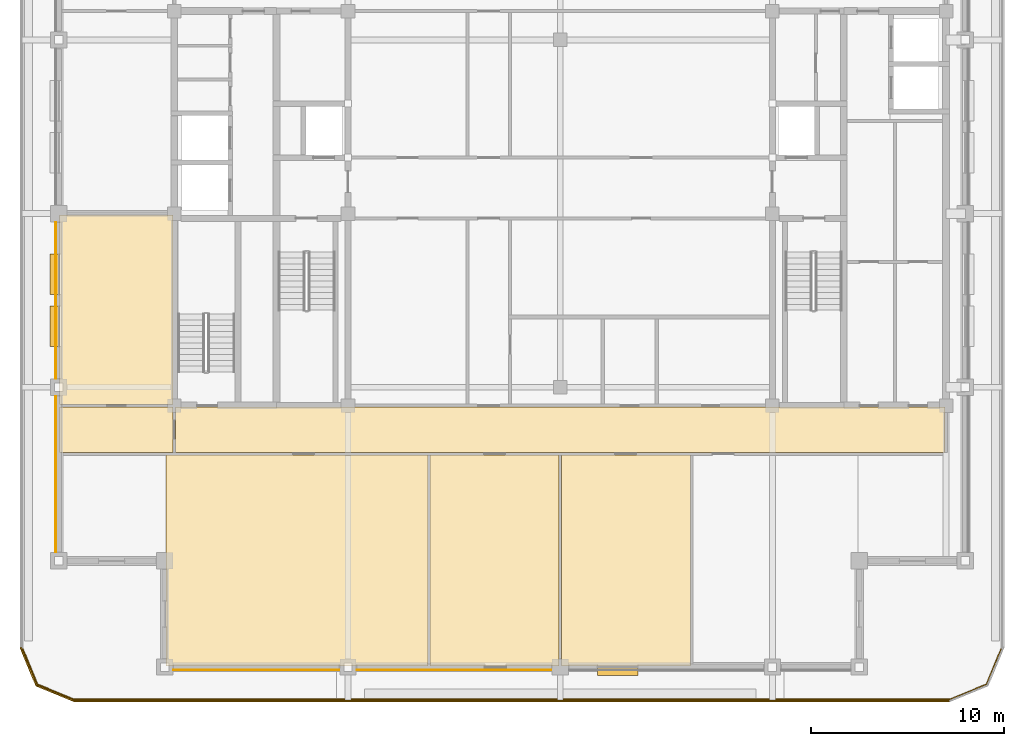
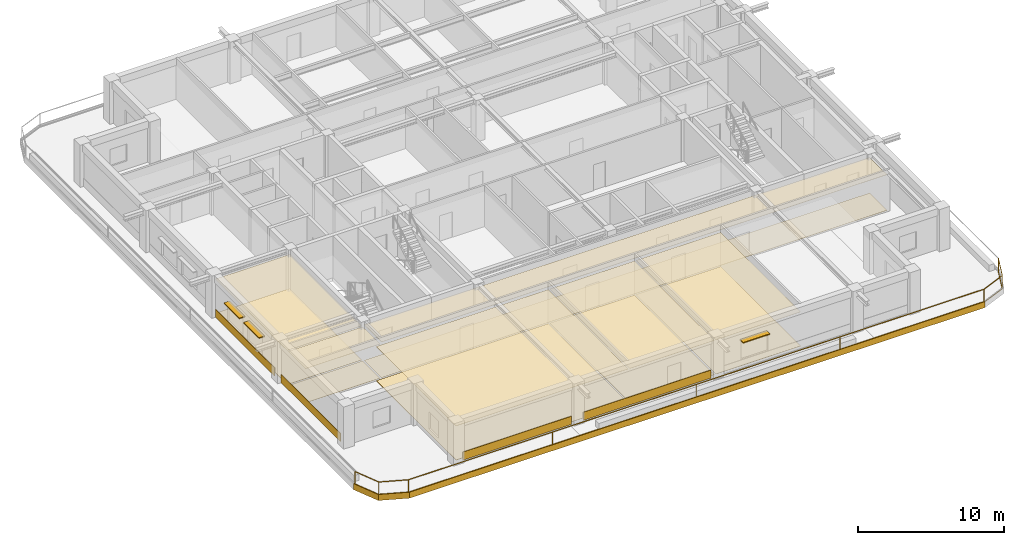
# One storey, part 7 of 11: 19 coverings, 3 shading devices, 1 railing.
"""IFC4 building model written with IfcOpenShell, lengths in metres."""

from ifc_helpers import new_model, si_unit, direction, frame, frame_2d, origin, origin_2d, place, context, subcontext, project, spatial, polyline, rectangle, outline, extrude, material, layer, layer_set, type_object, element, save


model = new_model("IFC4")

# Units and contexts
model_context = context("Model", 3, precision=1e-05, world=origin(), true_north=direction((0.0, 1.0)))
body_context = subcontext(model_context, "Body", "Model", "MODEL_VIEW")
ifc_project = project(units=[si_unit("LENGTHUNIT", "METRE"), si_unit("AREAUNIT", "SQUARE_METRE"), si_unit("VOLUMEUNIT", "CUBIC_METRE"), si_unit("PLANEANGLEUNIT", "RADIAN"), si_unit("MASSUNIT", "GRAM", prefix="KILO")], contexts=[model_context])

# Site, building, storey
site_placement = place(None, origin())
site = spatial("IfcSite", under=ifc_project, at=site_placement, CompositionType="ELEMENT")
building_placement = place(site_placement, origin())
building = spatial("IfcBuilding", under=site, at=building_placement, Name="Zulmaris Gate Convention Tower", CompositionType="ELEMENT")
storey_placement = place(building_placement, frame((0.0, 0.0, 270.580078125)))
storey = spatial("IfcBuildingStorey", under=building, at=storey_placement, Name="L72", CompositionType="ELEMENT", Elevation=270.580078125)

# Coverings
ifc_material_1 = material(Name="Precast concrete C40/50", Category="concrete")
ifc_layer_1 = layer(ifc_material_1, 0.0400390625, Name="Precast concrete C40/50")
ifc_layer_set_1 = layer_set([ifc_layer_1], Name="Precast concrete C40/50")
covering_type_1 = type_object("IfcCoveringType", Name="CLAD-SPANDREL-PRECAST", PredefinedType="CLADDING", material=ifc_layer_set_1)
covering_1_placement = place(storey_placement, frame((-20.044921875, -23.64990234375, 0.0), z_axis=(0.0, 0.0, 1.0), x_axis=(1.0, 0.0, 0.0)))
element("IfcCovering", 1, at=covering_1_placement, inside=storey, type_object=covering_type_1, Name="CLD-L72-S-0_0", PredefinedType="CLADDING", context=body_context, shape_type="SweptSolid", body=[
    extrude(rectangle(XDim=8.58984375, YDim=0.0400390625, at=frame_2d((4.294921875, 0.0))), origin(), (0.0, 0.0, 1.0), 0.679931640625),
])
covering_2_placement = place(storey_placement, frame((-10.544921875, -23.64990234375, 0.0), z_axis=(0.0, 0.0, 1.0), x_axis=(1.0, 0.0, 0.0)))
element("IfcCovering", 2, at=covering_2_placement, inside=storey, type_object=covering_type_1, Name="CLD-L72-S-1_0", PredefinedType="CLADDING", context=body_context, shape_type="SweptSolid", body=[
    extrude(rectangle(XDim=10.08984375, YDim=0.0400390625, at=frame_2d((5.044921875, 0.0))), origin(), (0.0, 0.0, 1.0), 0.679931640625),
])
for number, where, z_axis, x_axis, name in (
    (3, (-26.14990234375, -9.455078125, 0.0), (0.0, 0.0, 1.0), (0.0, -1.0, 0.0), "CLD-L72-W-0_0"),
    (4, (-26.14990234375, -0.455078125, 0.0), (0.0, 0.0, 1.0), (0.0, -1.0, 0.0), "CLD-L72-W-1_0"),
):
    element("IfcCovering", number, at=place(storey_placement, frame(where, z_axis=z_axis, x_axis=x_axis)), inside=storey, type_object=covering_type_1, Name=name, PredefinedType="CLADDING", context=body_context, shape_type="SweptSolid", body=[
        extrude(rectangle(XDim=8.08984375, YDim=0.0400390625, at=frame_2d((4.044921875, 0.0))), origin(), (0.0, 0.0, 1.0), 0.679931640625),
    ])
ifc_material_2 = material(Name="White Glazed Architectural Precast Concrete C40/50", Category="concrete")
ifc_layer_2 = layer(ifc_material_2, 0.080078125, Name="White Glazed Architectural Precast Concrete C40/50")
ifc_layer_set_2 = layer_set([ifc_layer_2], Name="White Glazed Architectural Precast Concrete C40/50")
covering_type_2 = type_object("IfcCoveringType", Name="CLAD-TRAY-FASCIA", PredefinedType="CLADDING", material=ifc_layer_set_2)
covering_3_placement = place(storey_placement, frame((-27.962890625, -22.484619140625, -0.364990234375), z_axis=(0.0, 0.0, 1.0), x_axis=(0.382656984709, -0.923890487046, 0.0)))
element("IfcCovering", 5, at=covering_3_placement, inside=storey, type_object=covering_type_2, Name="FSC-L72-TR-00", PredefinedType="CLADDING", context=body_context, shape_type="SweptSolid", body=[
    extrude(rectangle(XDim=2.14306640625, YDim=0.080078125, at=frame_2d((1.071533203125, 0.0))), origin(), (0.0, 0.0, 1.0), 0.5),
])
covering_4_placement = place(storey_placement, frame((-27.16455078125, -24.44287109375, -0.364990234375), z_axis=(0.0, 0.0, 1.0), x_axis=(0.923873803533, -0.382697263049, 0.0)))
element("IfcCovering", 6, at=covering_4_placement, inside=storey, type_object=covering_type_2, Name="FSC-L72-TR-01", PredefinedType="CLADDING", context=body_context, shape_type="SweptSolid", body=[
    extrude(rectangle(XDim=2.142822265625, YDim=0.080078125, at=frame_2d((1.0712890625, 0.0))), origin(), (0.0, 0.0, 1.0), 0.5),
])
covering_5_placement = place(storey_placement, frame((-25.199951171875, -25.260009765625, -0.364990234375), z_axis=(0.0, 0.0, 1.0), x_axis=(1.0, 0.0, 0.0)))
element("IfcCovering", 7, at=covering_5_placement, inside=storey, type_object=covering_type_2, Name="FSC-L72-TR-02", PredefinedType="CLADDING", context=body_context, shape_type="SweptSolid", body=[
    extrude(rectangle(XDim=45.39990234375, YDim=0.080078125, at=frame_2d((22.699951171875, 0.0))), origin(), (0.0, 0.0, 1.0), 0.5),
])
ifc_material_3 = material(Name="Mineral Fibre Acoustic Ceiling Tile")
ifc_layer_3 = layer(ifc_material_3, 0.02001953125, Name="Mineral Fibre Acoustic Ceiling Tile")
ifc_layer_set_3 = layer_set([ifc_layer_3], Name="Mineral Fibre Acoustic Ceiling Tile")
covering_type_3 = type_object("IfcCoveringType", Name="CLG-ACOUSTIC-600", PredefinedType="CEILING", material=ifc_layer_set_3)
covering_6_placement = place(storey_placement, frame((0.0, 0.0, 2.972900390625)))
element("IfcCovering", 8, at=covering_6_placement, inside=storey, type_object=covering_type_3, Name="CLG-L72-R32", PredefinedType="CEILING", context=body_context, shape_type="SweptSolid", body=[
    extrude(outline(polyline([(-19.93994140625, -12.389892578125), (19.93994140625, -12.389892578125), (19.93994140625, -10.010009765625), (-19.93994140625, -10.010009765625), (-19.93994140625, -12.389892578125)])), origin(), (0.0, 0.0, 1.0), 0.02001953125),
])
covering_7_placement = place(storey_placement, frame((0.0, 0.0, 2.85009765625)))
element("IfcCovering", 9, at=covering_7_placement, inside=storey, type_object=covering_type_3, Name="CLG-L72-R41", PredefinedType="CEILING", context=body_context, shape_type="SweptSolid", body=[
    extrude(outline(polyline([(-20.43994140625, -23.43994140625), (-6.860107421875, -23.43994140625), (-6.860107421875, -12.510009765625), (-20.43994140625, -12.510009765625), (-20.43994140625, -23.43994140625)])), origin(), (0.0, 0.0, 1.0), 0.02001953125),
])
covering_8_placement = place(storey_placement, frame((0.0, 0.0, 2.85009765625)))
element("IfcCovering", 10, at=covering_8_placement, inside=storey, type_object=covering_type_3, Name="CLG-L72-R42", PredefinedType="CEILING", context=body_context, shape_type="SweptSolid", body=[
    extrude(outline(polyline([(-6.739990234375, -23.43994140625), (-0.06005859375, -23.43994140625), (-0.06005859375, -12.510009765625), (-6.739990234375, -12.510009765625), (-6.739990234375, -23.43994140625)])), origin(), (0.0, 0.0, 1.0), 0.02001953125),
])
covering_9_placement = place(storey_placement, frame((0.0, 0.0, 2.85009765625)))
element("IfcCovering", 11, at=covering_9_placement, inside=storey, type_object=covering_type_3, Name="CLG-L72-R43", PredefinedType="CEILING", context=body_context, shape_type="SweptSolid", body=[
    extrude(outline(polyline([(0.06005859375, -23.43994140625), (6.739990234375, -23.43994140625), (6.739990234375, -12.510009765625), (0.06005859375, -12.510009765625), (0.06005859375, -23.43994140625)])), origin(), (0.0, 0.0, 1.0), 0.02001953125),
])
covering_10_placement = place(storey_placement, frame((0.0, 0.0, 2.85009765625)))
element("IfcCovering", 12, at=covering_10_placement, inside=storey, type_object=covering_type_3, Name="CLG-L72-R53", PredefinedType="CEILING", context=body_context, shape_type="SweptSolid", body=[
    extrude(outline(polyline([(-25.93994140625, -12.389892578125), (-20.06005859375, -12.389892578125), (-20.06005859375, -10.010009765625), (-25.93994140625, -10.010009765625), (-25.93994140625, -12.389892578125)])), origin(), (0.0, 0.0, 1.0), 0.02001953125),
])
covering_11_placement = place(storey_placement, frame((0.0, 0.0, 2.85009765625)))
element("IfcCovering", 13, at=covering_11_placement, inside=storey, type_object=covering_type_3, Name="CLG-L72-R55", PredefinedType="CEILING", context=body_context, shape_type="SweptSolid", body=[
    extrude(outline(polyline([(-25.93994140625, -9.889892578125), (-20.06005859375, -9.889892578125), (-20.06005859375, -0.06005859375), (-25.93994140625, -0.06005859375), (-25.93994140625, -9.889892578125)])), origin(), (0.0, 0.0, 1.0), 0.02001953125),
])
ifc_material_4 = material(Name="Woven Acoustic Wool Carpet Tile")
ifc_layer_4 = layer(ifc_material_4, 0.02001953125, Name="Woven Acoustic Wool Carpet Tile")
ifc_layer_set_4 = layer_set([ifc_layer_4], Name="Woven Acoustic Wool Carpet Tile")
covering_type_4 = type_object("IfcCoveringType", Name="FLR-CARPET-12", PredefinedType="FLOORING", material=ifc_layer_set_4)
covering_12_placement = place(storey_placement, origin())
element("IfcCovering", 14, at=covering_12_placement, inside=storey, type_object=covering_type_4, Name="FLR-L72-R32", PredefinedType="FLOORING", context=body_context, shape_type="SweptSolid", body=[
    extrude(outline(polyline([(-19.93994140625, -12.389892578125), (19.93994140625, -12.389892578125), (19.93994140625, -10.010009765625), (-19.93994140625, -10.010009765625), (-19.93994140625, -12.389892578125)])), origin(), (0.0, 0.0, 1.0), 0.02001953125),
])
covering_13_placement = place(storey_placement, origin())
element("IfcCovering", 15, at=covering_13_placement, inside=storey, type_object=covering_type_4, Name="FLR-L72-R41", PredefinedType="FLOORING", context=body_context, shape_type="SweptSolid", body=[
    extrude(outline(polyline([(-20.43994140625, -23.43994140625), (-6.860107421875, -23.43994140625), (-6.860107421875, -12.510009765625), (-20.43994140625, -12.510009765625), (-20.43994140625, -23.43994140625)])), origin(), (0.0, 0.0, 1.0), 0.02001953125),
])
covering_14_placement = place(storey_placement, origin())
element("IfcCovering", 16, at=covering_14_placement, inside=storey, type_object=covering_type_4, Name="FLR-L72-R53", PredefinedType="FLOORING", context=body_context, shape_type="SweptSolid", body=[
    extrude(outline(polyline([(-25.93994140625, -12.389892578125), (-20.06005859375, -12.389892578125), (-20.06005859375, -10.010009765625), (-25.93994140625, -10.010009765625), (-25.93994140625, -12.389892578125)])), origin(), (0.0, 0.0, 1.0), 0.02001953125),
])
covering_15_placement = place(storey_placement, origin())
element("IfcCovering", 17, at=covering_15_placement, inside=storey, type_object=covering_type_4, Name="FLR-L72-R55", PredefinedType="FLOORING", context=body_context, shape_type="SweptSolid", body=[
    extrude(outline(polyline([(-25.93994140625, -9.889892578125), (-20.06005859375, -9.889892578125), (-20.06005859375, -0.06005859375), (-25.93994140625, -0.06005859375), (-25.93994140625, -9.889892578125)])), origin(), (0.0, 0.0, 1.0), 0.02001953125),
])
ifc_material_5 = material(Name="Engineered Teak Parquet Flooring")
ifc_layer_5 = layer(ifc_material_5, 0.02001953125, Name="Engineered Teak Parquet Flooring")
ifc_layer_set_5 = layer_set([ifc_layer_5], Name="Engineered Teak Parquet Flooring")
covering_type_5 = type_object("IfcCoveringType", Name="FLR-TIMBER-18", PredefinedType="FLOORING", material=ifc_layer_set_5)
covering_16_placement = place(storey_placement, origin())
element("IfcCovering", 18, at=covering_16_placement, inside=storey, type_object=covering_type_5, Name="FLR-L72-R42", PredefinedType="FLOORING", context=body_context, shape_type="SweptSolid", body=[
    extrude(outline(polyline([(-6.739990234375, -23.43994140625), (-0.06005859375, -23.43994140625), (-0.06005859375, -12.510009765625), (-6.739990234375, -12.510009765625), (-6.739990234375, -23.43994140625)])), origin(), (0.0, 0.0, 1.0), 0.02001953125),
])
covering_17_placement = place(storey_placement, origin())
element("IfcCovering", 19, at=covering_17_placement, inside=storey, type_object=covering_type_5, Name="FLR-L72-R43", PredefinedType="FLOORING", context=body_context, shape_type="SweptSolid", body=[
    extrude(outline(polyline([(0.06005859375, -23.43994140625), (6.739990234375, -23.43994140625), (6.739990234375, -12.510009765625), (0.06005859375, -12.510009765625), (0.06005859375, -23.43994140625)])), origin(), (0.0, 0.0, 1.0), 0.02001953125),
])

# Railing
ifc_material_6 = material(Name="Laminated Glass and Stainless Steel", Category="steel")
railing_type = type_object("IfcRailingType", Name="RL-BALC-1150", PredefinedType="BALUSTRADE", material=ifc_material_6)
railing_placement = place(storey_placement, frame((-27.8798828125, -22.5, -0.02490234375)))
element("IfcRailing", 20, at=railing_placement, inside=storey, type_object=railing_type, Name="RL-L72-BALC-S", PredefinedType="BALUSTRADE", context=body_context, shape_type="SweptSolid", body=[
    extrude(rectangle(XDim=0.048095703125, YDim=0.048095703125, at=origin_2d()), frame((0.0, 0.0, 1.1259765625), z_axis=(0.382670664694, -0.92388482095, 0.0), x_axis=(0.92388482095, 0.382670664694, 0.0)), (0.0, 0.0, 1.0), 2.051025390625),
    extrude(rectangle(XDim=0.048095703125, YDim=0.048095703125, at=origin_2d()), frame((0.0, 0.0, 0.02392578125), z_axis=(0.382670664694, -0.92388482095, 0.0), x_axis=(0.92388482095, 0.382670664694, 0.0)), (0.0, 0.0, 1.0), 2.051025390625),
    extrude(rectangle(XDim=0.048095703125, YDim=0.048095703125, at=origin_2d()), frame((0.784912109375, -1.89501953125, 1.1259765625), z_axis=(0.92388482095, -0.382670664694, 0.0), x_axis=(0.382670664694, 0.92388482095, 0.0)), (0.0, 0.0, 1.0), 2.051025390625),
    extrude(rectangle(XDim=0.048095703125, YDim=0.048095703125, at=origin_2d()), frame((0.784912109375, -1.89501953125, 0.02392578125), z_axis=(0.92388482095, -0.382670664694, 0.0), x_axis=(0.382670664694, 0.92388482095, 0.0)), (0.0, 0.0, 1.0), 2.051025390625),
    extrude(rectangle(XDim=0.048095703125, YDim=0.048095703125, at=origin_2d()), frame((2.679931640625, -2.679931640625, 1.1259765625), z_axis=(1.0, 0.0, 0.0), x_axis=(0.0, 1.0, 0.0)), (0.0, 0.0, 1.0), 45.39990234375),
    extrude(rectangle(XDim=0.048095703125, YDim=0.048095703125, at=origin_2d()), frame((2.679931640625, -2.679931640625, 0.02392578125), z_axis=(1.0, 0.0, 0.0), x_axis=(0.0, 1.0, 0.0)), (0.0, 0.0, 1.0), 45.39990234375),
    extrude(rectangle(XDim=0.048095703125, YDim=0.048095703125, at=origin_2d()), frame((48.079833984375, -2.679931640625, 1.1259765625), z_axis=(0.92388482095, 0.382670664694, 0.0), x_axis=(-0.382670664694, 0.92388482095, 0.0)), (0.0, 0.0, 1.0), 2.051025390625),
    extrude(rectangle(XDim=0.048095703125, YDim=0.048095703125, at=origin_2d()), frame((48.079833984375, -2.679931640625, 0.02392578125), z_axis=(0.92388482095, 0.382670664694, 0.0), x_axis=(-0.382670664694, 0.92388482095, 0.0)), (0.0, 0.0, 1.0), 2.051025390625),
    extrude(rectangle(XDim=0.048095703125, YDim=0.048095703125, at=origin_2d()), frame((49.974853515625, -1.89501953125, 1.1259765625), z_axis=(0.382670664694, 0.92388482095, 0.0), x_axis=(-0.92388482095, 0.382670664694, 0.0)), (0.0, 0.0, 1.0), 2.051025390625),
    extrude(rectangle(XDim=0.048095703125, YDim=0.048095703125, at=origin_2d()), frame((49.974853515625, -1.89501953125, 0.02392578125), z_axis=(0.382670664694, 0.92388482095, 0.0), x_axis=(-0.92388482095, 0.382670664694, 0.0)), (0.0, 0.0, 1.0), 2.051025390625),
    extrude(rectangle(XDim=0.0419921875, YDim=0.0419921875, at=origin_2d()), origin(), (0.0, 0.0, 1.0), 1.101806640625),
    extrude(rectangle(XDim=0.0419921875, YDim=0.0419921875, at=origin_2d()), frame((0.784912109375, -1.89501953125, 0.0)), (0.0, 0.0, 1.0), 1.101806640625),
    extrude(rectangle(XDim=0.0419921875, YDim=0.0419921875, at=origin_2d()), frame((2.679931640625, -2.679931640625, 0.0)), (0.0, 0.0, 1.0), 1.101806640625),
    extrude(rectangle(XDim=0.0419921875, YDim=0.0419921875, at=origin_2d()), frame((14.02978515625, -2.679931640625, 0.0)), (0.0, 0.0, 1.0), 1.101806640625),
    extrude(rectangle(XDim=0.0419921875, YDim=0.0419921875, at=origin_2d()), frame((25.3798828125, -2.679931640625, 0.0)), (0.0, 0.0, 1.0), 1.101806640625),
    extrude(rectangle(XDim=0.0419921875, YDim=0.0419921875, at=origin_2d()), frame((36.72998046875, -2.679931640625, 0.0)), (0.0, 0.0, 1.0), 1.101806640625),
    extrude(rectangle(XDim=0.0419921875, YDim=0.0419921875, at=origin_2d()), frame((48.079833984375, -2.679931640625, 0.0)), (0.0, 0.0, 1.0), 1.101806640625),
    extrude(rectangle(XDim=0.0419921875, YDim=0.0419921875, at=origin_2d()), frame((49.974853515625, -1.89501953125, 0.0)), (0.0, 0.0, 1.0), 1.101806640625),
    extrude(rectangle(XDim=0.0419921875, YDim=0.0419921875, at=origin_2d()), frame((50.759765625, 0.0, 0.0)), (0.0, 0.0, 1.0), 1.101806640625),
])

# Shading devices
ifc_material_7 = material(Name="Glazed Ceramic Terracotta", Category="masonry")
ifc_layer_6 = layer(ifc_material_7, 0.070068359375, Name="Glazed Ceramic Terracotta")
ifc_layer_set_6 = layer_set([ifc_layer_6], Name="Glazed Ceramic Terracotta")
shading_device_type = type_object("IfcShadingDeviceType", Name="SHD-SUNSHADE-TC", PredefinedType="AWNING", material=ifc_layer_set_6)
shading_device_placement = place(storey_placement, frame((1.927001953125, -23.719970703125, 2.22998046875), z_axis=(0.0, 0.0, 1.0), x_axis=(1.0, 0.0, 0.0)))
element("IfcShadingDevice", 21, at=shading_device_placement, inside=storey, type_object=shading_device_type, Name="SHD-EW-L72-S-2_0-1", PredefinedType="AWNING", context=body_context, shape_type="SweptSolid", body=[
    extrude(rectangle(XDim=2.10009765625, YDim=0.43994140625, at=frame_2d((1.050048828125, 0.0))), origin(), (0.0, 0.0, 1.0), 0.070068359375),
])
for number, where, z_axis, x_axis, name in (
    (22, (-26.219970703125, -2.10205078125, 2.22998046875), (0.0, 0.0, 1.0), (0.0, -1.0, 0.0), "SHD-EW-L72-W-1_0-1"),
    (23, (-26.219970703125, -4.798095703125, 2.22998046875), (0.0, 0.0, 1.0), (0.0, -1.0, 0.0), "SHD-EW-L72-W-1_0-2"),
):
    element("IfcShadingDevice", number, at=place(storey_placement, frame(where, z_axis=z_axis, x_axis=x_axis)), inside=storey, type_object=shading_device_type, Name=name, PredefinedType="AWNING", context=body_context, shape_type="SweptSolid", body=[
        extrude(rectangle(XDim=2.099853515625, YDim=0.43994140625, at=frame_2d((1.0498046875, 0.0))), origin(), (0.0, 0.0, 1.0), 0.070068359375),
    ])

save(model, "model.ifc")
